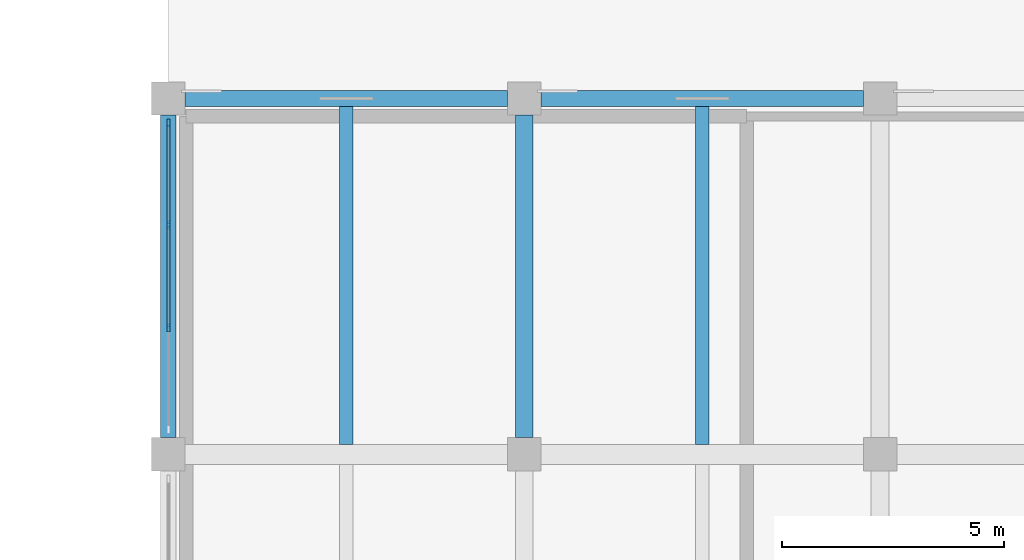
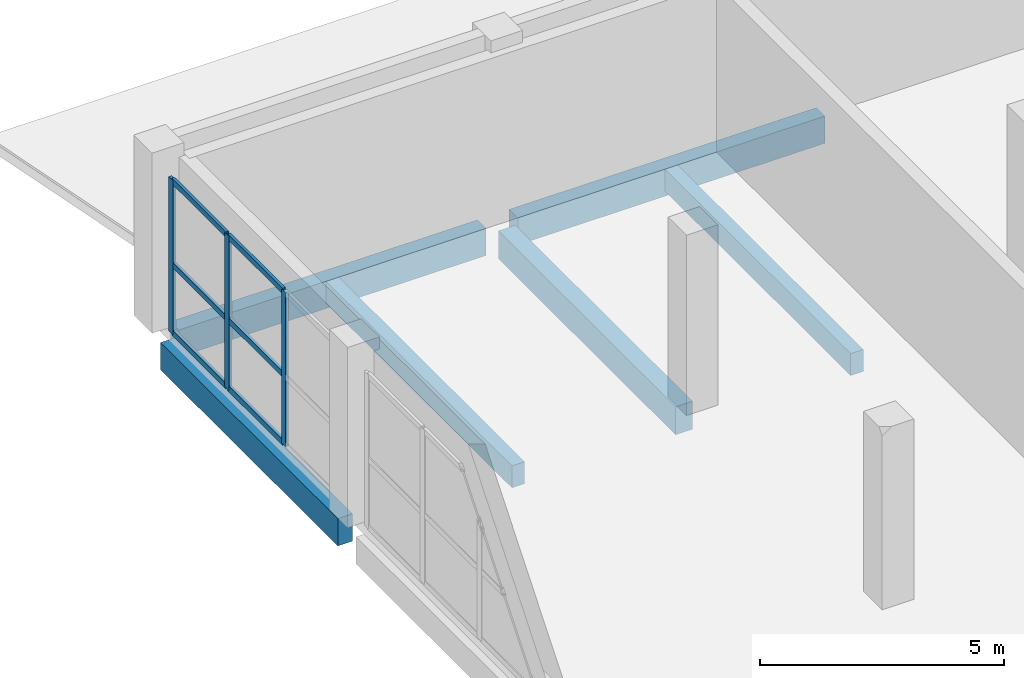
# One storey, part 20 of 53: 9 members, 6 beams, 1 element without a shape of its own.
"""IFC4 building model written with IfcOpenShell, lengths in metres."""

from ifc_helpers import new_model, si_unit, direction, frame, origin, origin_2d, place, context, subcontext, project, spatial, rectangle, extrude, material, layer, layer_set, material_profile, profile_set, type_object, element, aggregate, save


model = new_model("IFC4")

# Units and contexts
model_context = context("Model", 3, precision=1e-05, world=origin(), true_north=direction((0.0, 1.0)))
body_context = subcontext(model_context, "Body", "Model", "MODEL_VIEW")
ifc_project = project(units=[si_unit("LENGTHUNIT", "METRE"), si_unit("AREAUNIT", "SQUARE_METRE"), si_unit("VOLUMEUNIT", "CUBIC_METRE"), si_unit("PLANEANGLEUNIT", "RADIAN"), si_unit("MASSUNIT", "GRAM", prefix="KILO")], contexts=[model_context])

# Site, building, storey
site_placement = place(None, origin())
site = spatial("IfcSite", under=ifc_project, at=site_placement, CompositionType="ELEMENT")
building_placement = place(site_placement, origin())
building = spatial("IfcBuilding", under=site, at=building_placement, Name="Qorikala Patio Media Centre", CompositionType="ELEMENT")
storey_placement = place(building_placement, frame((0.0, 0.0, 5.39990234375)))
storey = spatial("IfcBuildingStorey", under=building, at=storey_placement, Name="L01", CompositionType="ELEMENT", Elevation=5.39990234375)

# Beam
ifc_material_1 = material(Name="Concrete C35/45", Category="concrete")
ifc_material_profile_1 = material_profile(ifc_material_1, rectangle(XDim=0.39990234375, YDim=0.699951171875, at=origin_2d()), Name="RC 400x700")
ifc_profile_set_1 = profile_set([ifc_material_profile_1], Name="Concrete C35/45")
beam_type_1 = type_object("IfcBeamType", Name="BM-G400X700", PredefinedType="BEAM", material=ifc_profile_set_1)
beam_placement = place(storey_placement, frame((59.0, 96.375, -0.64990234375), z_axis=(0.0, 1.0, 0.0), x_axis=(-1.0, 0.0, 0.0)))
element("IfcBeam", 1, at=beam_placement, inside=storey, type_object=beam_type_1, Name="L01 Grid X=59 Beam 0616", PredefinedType="BEAM", context=body_context, shape_type="SweptSolid", body=[
    extrude(rectangle(XDim=0.39990234375, YDim=0.699951171875, at=origin_2d()), origin(), (0.0, 0.0, 1.0), 7.25),
])

# Curtain wall, members
ifc_material_2 = material(Name="Bronze Anodised Aluminium and Low-E Glass", Category="aluminium")
ifc_layer = layer(ifc_material_2, 0.159912109375)
ifc_layer_set = layer_set([ifc_layer], Name="Bronze Anodised Aluminium and Low-E Glass")
curtain_wall_type = type_object("IfcCurtainWallType", Name="CW-PAT-696X385", PredefinedType="USERDEFINED", material=ifc_layer_set)
curtain_wall_placement = place(storey_placement, origin())
curtain_wall = element("IfcCurtainWall", 2, at=curtain_wall_placement, inside=storey, type_object=curtain_wall_type, Name="L01 Courtyard Curtain Wall 024", ObjectType="COURTYARD CURTAIN WALL", PredefinedType="USERDEFINED")
ifc_material_3 = material(Name="Bronze Anodised Aluminium", Category="aluminium")
ifc_material_profile_2 = material_profile(ifc_material_3, rectangle(XDim=0.070068359375, YDim=0.179931640625, at=origin_2d()), Name="ALU MULLION 70x180")
ifc_profile_set_2 = profile_set([ifc_material_profile_2], Name="Bronze Anodised Aluminium")
member_type_1 = type_object("IfcMemberType", Name="CWM-70X180", PredefinedType="MULLION", material=ifc_profile_set_2)
member_1_placement = place(storey_placement, frame((51.0, 98.840087890625, 0.0), z_axis=(0.0, 0.0, 1.0), x_axis=(-1.0, 0.0, 0.0)))
member_1 = element("IfcMember", 3, at=member_1_placement, type_object=member_type_1, Name="CWP696385 mullion 2", PredefinedType="MULLION", context=body_context, shape_type="SweptSolid", body=[
    extrude(rectangle(XDim=0.070068359375, YDim=0.179931640625, at=origin_2d()), origin(), (0.0, 0.0, 1.0), 3.85009765625),
])
member_2_placement = place(storey_placement, frame((51.0, 101.159912109375, 0.0), z_axis=(0.0, 0.0, 1.0), x_axis=(-1.0, 0.0, 0.0)))
member_2 = element("IfcMember", 4, at=member_2_placement, type_object=member_type_1, Name="CWP696385 mullion 3", PredefinedType="MULLION", context=body_context, shape_type="SweptSolid", body=[
    extrude(rectangle(XDim=0.070068359375, YDim=0.179931640625, at=origin_2d()), origin(), (0.0, 0.0, 1.0), 3.85009765625),
])
member_3_placement = place(storey_placement, frame((51.0, 103.445068359375, 0.0), z_axis=(0.0, 0.0, 1.0), x_axis=(-1.0, 0.0, 0.0)))
member_3 = element("IfcMember", 5, at=member_3_placement, type_object=member_type_1, Name="CWP696385 mullion 4", PredefinedType="MULLION", context=body_context, shape_type="SweptSolid", body=[
    extrude(rectangle(XDim=0.070068359375, YDim=0.179931640625, at=origin_2d()), origin(), (0.0, 0.0, 1.0), 3.85009765625),
])
ifc_material_profile_3 = material_profile(ifc_material_3, rectangle(XDim=0.070068359375, YDim=0.139892578125, at=origin_2d()), Name="ALU TRANSOM 70x140")
ifc_profile_set_3 = profile_set([ifc_material_profile_3], Name="Bronze Anodised Aluminium")
member_type_2 = type_object("IfcMemberType", Name="CWT-70X140", PredefinedType="USERDEFINED", material=ifc_profile_set_3)
member_4_placement = place(storey_placement, frame((51.0, 98.875, 0.03515625), z_axis=(0.0, 1.0, 0.0), x_axis=(-1.0, 0.0, 0.0)))
member_4 = element("IfcMember", 6, at=member_4_placement, type_object=member_type_2, Name="CWP696385 transom 2.1", ObjectType="TRANSOM", PredefinedType="USERDEFINED", context=body_context, shape_type="SweptSolid", body=[
    extrude(rectangle(XDim=0.070068359375, YDim=0.139892578125, at=origin_2d()), origin(), (0.0, 0.0, 1.0), 2.25),
])
member_5_placement = place(storey_placement, frame((51.0, 98.875, 1.732666015625), z_axis=(0.0, 1.0, 0.0), x_axis=(-1.0, 0.0, 0.0)))
member_5 = element("IfcMember", 7, at=member_5_placement, type_object=member_type_2, Name="CWP696385 transom 2.2", ObjectType="TRANSOM", PredefinedType="USERDEFINED", context=body_context, shape_type="SweptSolid", body=[
    extrude(rectangle(XDim=0.070068359375, YDim=0.139892578125, at=origin_2d()), origin(), (0.0, 0.0, 1.0), 2.25),
])
member_6_placement = place(storey_placement, frame((51.0, 98.875, 3.815185546875), z_axis=(0.0, 1.0, 0.0), x_axis=(-1.0, 0.0, 0.0)))
member_6 = element("IfcMember", 8, at=member_6_placement, type_object=member_type_2, Name="CWP696385 transom 2.3", ObjectType="TRANSOM", PredefinedType="USERDEFINED", context=body_context, shape_type="SweptSolid", body=[
    extrude(rectangle(XDim=0.070068359375, YDim=0.139892578125, at=origin_2d()), origin(), (0.0, 0.0, 1.0), 2.25),
])
member_7_placement = place(storey_placement, frame((51.0, 101.195068359375, 0.03515625), z_axis=(0.0, 1.0, 0.0), x_axis=(-1.0, 0.0, 0.0)))
member_7 = element("IfcMember", 9, at=member_7_placement, type_object=member_type_2, Name="CWP696385 transom 3.1", ObjectType="TRANSOM", PredefinedType="USERDEFINED", context=body_context, shape_type="SweptSolid", body=[
    extrude(rectangle(XDim=0.070068359375, YDim=0.139892578125, at=origin_2d()), origin(), (0.0, 0.0, 1.0), 2.21484375),
])
member_8_placement = place(storey_placement, frame((51.0, 101.195068359375, 1.732666015625), z_axis=(0.0, 1.0, 0.0), x_axis=(-1.0, 0.0, 0.0)))
member_8 = element("IfcMember", 10, at=member_8_placement, type_object=member_type_2, Name="CWP696385 transom 3.2", ObjectType="TRANSOM", PredefinedType="USERDEFINED", context=body_context, shape_type="SweptSolid", body=[
    extrude(rectangle(XDim=0.070068359375, YDim=0.139892578125, at=origin_2d()), origin(), (0.0, 0.0, 1.0), 2.21484375),
])
member_9_placement = place(storey_placement, frame((51.0, 101.195068359375, 3.815185546875), z_axis=(0.0, 1.0, 0.0), x_axis=(-1.0, 0.0, 0.0)))
member_9 = element("IfcMember", 11, at=member_9_placement, type_object=member_type_2, Name="CWP696385 transom 3.3", ObjectType="TRANSOM", PredefinedType="USERDEFINED", context=body_context, shape_type="SweptSolid", body=[
    extrude(rectangle(XDim=0.070068359375, YDim=0.139892578125, at=origin_2d()), origin(), (0.0, 0.0, 1.0), 2.21484375),
])
aggregate(curtain_wall, [member_1, member_2, member_3, member_4, member_5, member_6, member_7, member_8, member_9])

# Beams
ifc_material_profile_4 = material_profile(ifc_material_1, rectangle(XDim=0.300048828125, YDim=0.550048828125, at=origin_2d()), Name="RC 300x550")
ifc_profile_set_4 = profile_set([ifc_material_profile_4], Name="Concrete C35/45")
beam_type_2 = type_object("IfcBeamType", Name="JS-300X550", PredefinedType="JOIST", material=ifc_profile_set_4)
for number, where, z_axis, x_axis, name in (
    (12, (55.0, 96.22509765625, -0.574951171875), (0.0, 1.0, 0.0), (-1.0, 0.0, 0.0), "L01 Secondary Joist 0710"),
    (13, (63.0, 96.22509765625, -0.574951171875), (0.0, 1.0, 0.0), (-1.0, 0.0, 0.0), "L01 Secondary Joist 0717"),
):
    element("IfcBeam", number, at=place(storey_placement, frame(where, z_axis=z_axis, x_axis=x_axis)), inside=storey, type_object=beam_type_2, Name=name, PredefinedType="JOIST", context=body_context, shape_type="SweptSolid", body=[
        extrude(rectangle(XDim=0.300048828125, YDim=0.550048828125, at=origin_2d()), origin(), (0.0, 0.0, 1.0), 7.599853515625),
    ])
ifc_material_profile_5 = material_profile(ifc_material_1, rectangle(XDim=0.35009765625, YDim=0.679931640625, at=origin_2d()), Name="RC 350x680")
ifc_profile_set_5 = profile_set([ifc_material_profile_5], Name="Concrete C35/45")
beam_type_3 = type_object("IfcBeamType", Name="SP-350X680", PredefinedType="SPANDREL", material=ifc_profile_set_5)
for number, where, z_axis, x_axis, name in (
    (14, (51.375, 104.0, -0.639892578125), (1.0, 0.0, 0.0), (0.0, 1.0, 0.0), "L01 Grid 104 Beam 0529"),
    (15, (59.375, 104.0, -0.639892578125), (1.0, 0.0, 0.0), (0.0, 1.0, 0.0), "L01 Grid 104 Beam 0530"),
    (16, (51.0, 96.375, -0.639892578125), (0.0, 1.0, 0.0), (-1.0, 0.0, 0.0), "L01 Grid X=51 Beam 0604"),
):
    element("IfcBeam", number, at=place(storey_placement, frame(where, z_axis=z_axis, x_axis=x_axis)), inside=storey, type_object=beam_type_3, Name=name, PredefinedType="SPANDREL", context=body_context, shape_type="SweptSolid", body=[
        extrude(rectangle(XDim=0.35009765625, YDim=0.679931640625, at=origin_2d()), origin(), (0.0, 0.0, 1.0), 7.25),
    ])

save(model, "model.ifc")
